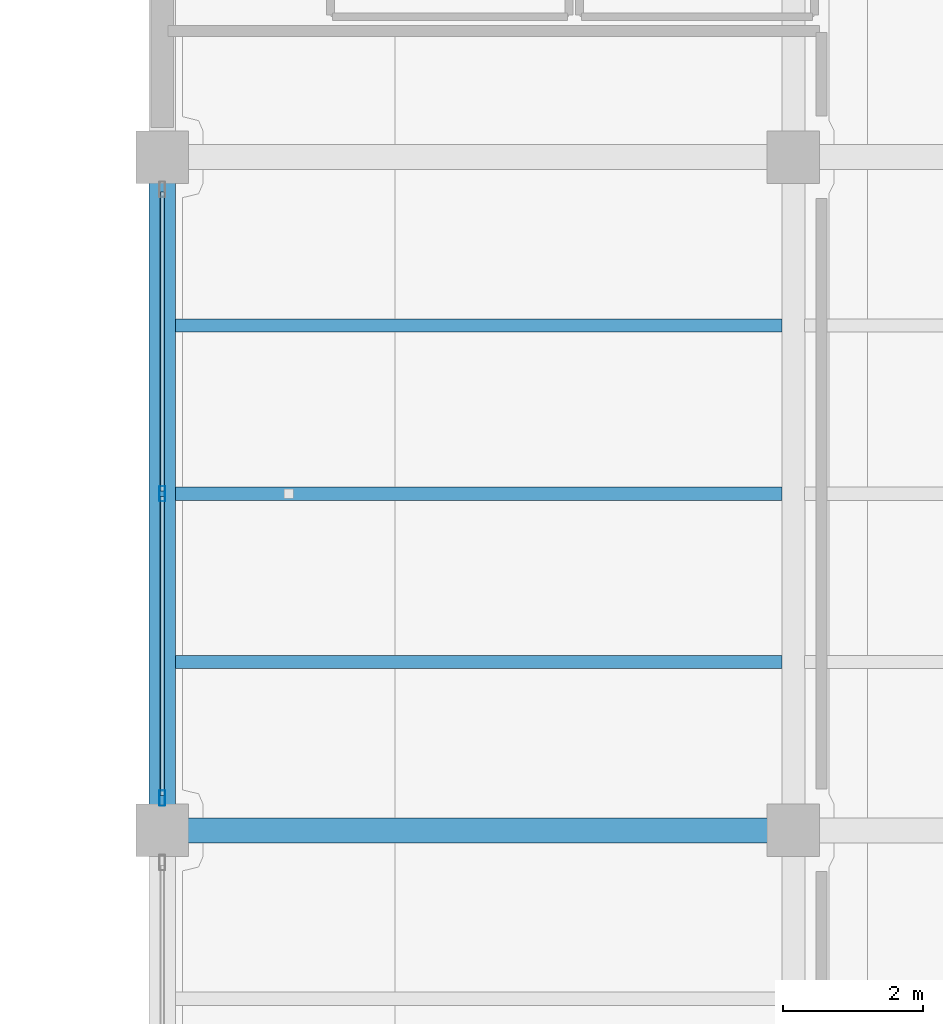
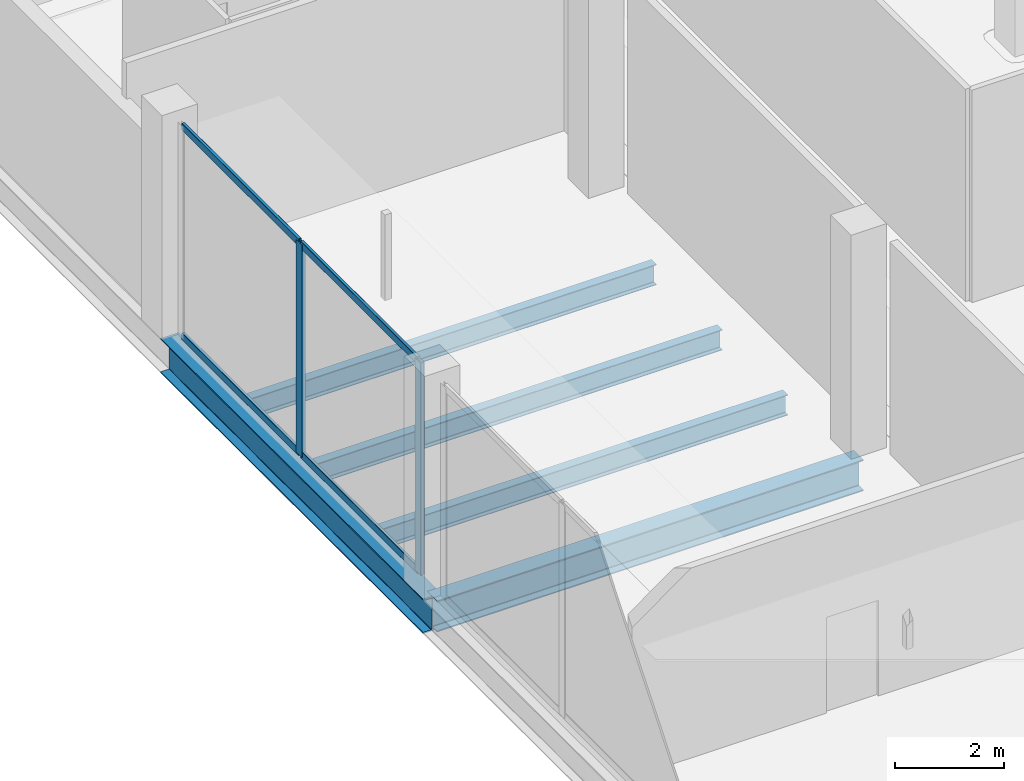
# One storey, part 11 of 47: 6 members, 5 beams, 1 element without a shape of its own.
"""IFC4 building model written with IfcOpenShell, lengths in metres."""

from ifc_helpers import new_model, si_unit, direction, frame, origin, origin_2d, place, context, subcontext, project, spatial, hollow_rectangle, i_section, extrude, material, layer, layer_set, material_profile, profile_set, type_object, element, aggregate, save


model = new_model("IFC4")

# Units and contexts
model_context = context("Model", 3, precision=1e-05, world=origin(), true_north=direction((0.0, 1.0)))
body_context = subcontext(model_context, "Body", "Model", "MODEL_VIEW")
ifc_project = project(units=[si_unit("LENGTHUNIT", "METRE"), si_unit("AREAUNIT", "SQUARE_METRE"), si_unit("VOLUMEUNIT", "CUBIC_METRE"), si_unit("PLANEANGLEUNIT", "RADIAN"), si_unit("MASSUNIT", "GRAM", prefix="KILO")], contexts=[model_context])

# Site, building, storey
site_placement = place(None, origin())
site = spatial("IfcSite", under=ifc_project, at=site_placement, CompositionType="ELEMENT")
building_placement = place(site_placement, origin())
building = spatial("IfcBuilding", under=site, at=building_placement, Name="Qorvath Tower", CompositionType="ELEMENT")
storey_placement = place(building_placement, frame((0.0, 0.0, 12.0)))
storey = spatial("IfcBuildingStorey", under=building, at=storey_placement, Name="L02", CompositionType="ELEMENT", Elevation=12.0)

# Beams
ifc_material_1 = material(Name="Steel ASTM A992 Grade 50", Category="steel")
ifc_material_profile_1 = material_profile(ifc_material_1, i_section(OverallWidth=0.381103515625, OverallDepth=0.77294921875, WebThickness=0.0166015625, FlangeThickness=0.027099609375, FilletRadius=0.01904296875, at=origin_2d()), Name="W30x173")
ifc_profile_set_1 = profile_set([ifc_material_profile_1], Name="Steel ASTM A992 Grade 50")
beam_type_1 = type_object("IfcBeamType", Name="BM-FG3", PredefinedType="BEAM", material=ifc_profile_set_1)
beam_1_placement = place(storey_placement, frame((32.39990234375, 9.60009765625, -0.646484375), z_axis=(0.0, 1.0, 0.0), x_axis=(-1.0, 0.0, 0.0)))
element("IfcBeam", 1, at=beam_1_placement, inside=storey, type_object=beam_type_1, Name="Library N-S Girder L02-1-6", PredefinedType="BEAM", context=body_context, shape_type="SweptSolid", body=[
    extrude(i_section(OverallWidth=0.381103515625, OverallDepth=0.77294921875, WebThickness=0.0166015625, FlangeThickness=0.027099609375, FilletRadius=0.01904296875, at=origin_2d()), origin(), (0.0, 0.0, 1.0), 9.599853515625),
])
ifc_material_2 = material(Name="Steel ASTM A992 Grade 50", Category="steel")
ifc_material_profile_2 = material_profile(ifc_material_2, i_section(OverallWidth=0.35595703125, OverallDepth=0.696044921875, WebThickness=0.015380859375, FlangeThickness=0.02490234375, FilletRadius=0.01806640625, at=origin_2d()), Name="W27x146")
ifc_profile_set_2 = profile_set([ifc_material_profile_2], Name="Steel ASTM A992 Grade 50")
beam_type_2 = type_object("IfcBeamType", Name="BM-FG4", PredefinedType="BEAM", material=ifc_profile_set_2)
beam_2_placement = place(storey_placement, frame((32.39990234375, 9.60009765625, -0.60791015625), z_axis=(1.0, 0.0, 0.0), x_axis=(0.0, 1.0, 0.0)))
element("IfcBeam", 2, at=beam_2_placement, inside=storey, type_object=beam_type_2, Name="Library E-W Girder L02-6-1", PredefinedType="BEAM", context=body_context, shape_type="SweptSolid", body=[
    extrude(i_section(OverallWidth=0.35595703125, OverallDepth=0.696044921875, WebThickness=0.015380859375, FlangeThickness=0.02490234375, FilletRadius=0.01806640625, at=origin_2d()), origin(), (0.0, 0.0, 1.0), 9.0),
])
ifc_material_3 = material(Name="Steel ASTM A992 Grade 50", Category="steel")
ifc_material_profile_3 = material_profile(ifc_material_3, i_section(OverallWidth=0.18994140625, OverallDepth=0.45703125, WebThickness=0.009033203125, FlangeThickness=0.014404296875, FilletRadius=0.011962890625, at=origin_2d()), Name="W18x50")
ifc_profile_set_3 = profile_set([ifc_material_profile_3], Name="Steel ASTM A992 Grade 50")
beam_type_3 = type_object("IfcBeamType", Name="BM-FJ2", PredefinedType="JOIST", material=ifc_profile_set_3)
for number, where, z_axis, x_axis, name in (
    (3, (32.58837890625, 12.0, -0.488525390625), (1.0, 0.0, 0.0), (0.0, 1.0, 0.0), "Library Stack Joist L02-6.1-1"),
    (4, (32.58837890625, 14.39990234375, -0.488525390625), (1.0, 0.0, 0.0), (0.0, 1.0, 0.0), "Library Stack Joist L02-6.2-1"),
    (5, (32.58837890625, 16.800048828125, -0.488525390625), (1.0, 0.0, 0.0), (0.0, 1.0, 0.0), "Library Stack Joist L02-6.3-1"),
):
    element("IfcBeam", number, at=place(storey_placement, frame(where, z_axis=z_axis, x_axis=x_axis)), inside=storey, type_object=beam_type_3, Name=name, PredefinedType="JOIST", context=body_context, shape_type="SweptSolid", body=[
        extrude(i_section(OverallWidth=0.18994140625, OverallDepth=0.45703125, WebThickness=0.009033203125, FlangeThickness=0.014404296875, FilletRadius=0.011962890625, at=origin_2d()), origin(), (0.0, 0.0, 1.0), 8.651123046875),
    ])

# Curtain wall, members
ifc_material_4 = material(Name="Anodised aluminium and triple low-E glass", Category="aluminium")
ifc_layer = layer(ifc_material_4, 0.179931640625)
ifc_layer_set = layer_set([ifc_layer], Name="CW-SYS-6")
curtain_wall_type = type_object("IfcCurtainWallType", Name="CW-SYS-6", PredefinedType="NOTDEFINED", material=ifc_layer_set)
curtain_wall_placement = place(storey_placement, origin())
curtain_wall = element("IfcCurtainWall", 6, at=curtain_wall_placement, inside=storey, type_object=curtain_wall_type, Name="Curtain Wall CW-6 CW-LIB-W-L02-6", PredefinedType="NOTDEFINED")
ifc_material_5 = material(Name="Anodised aluminium 6063-T6", Category="aluminium")
ifc_material_profile_4 = material_profile(ifc_material_5, hollow_rectangle(XDim=0.080078125, YDim=0.219970703125, WallThickness=0.00439453125, InnerFilletRadius=0.00439453125, OuterFilletRadius=0.009033203125, at=origin_2d()), Name="CWM LIB 220x80")
ifc_profile_set_4 = profile_set([ifc_material_profile_4], Name="Anodised aluminium 6063-T6")
member_type_1 = type_object("IfcMemberType", Name="CWM-LIB", PredefinedType="MULLION", material=ifc_profile_set_4)
member_1_placement = place(storey_placement, frame((32.39990234375, 10.06005859375, 0.0), z_axis=(0.0, 0.0, 1.0), x_axis=(-1.0, 0.0, 0.0)))
member_1 = element("IfcMember", 7, at=member_1_placement, type_object=member_type_1, Name="CW-6 mullion 1", PredefinedType="MULLION", context=body_context, shape_type="SweptSolid", body=[
    extrude(hollow_rectangle(XDim=0.080078125, YDim=0.219970703125, WallThickness=0.00439453125, InnerFilletRadius=0.00439453125, OuterFilletRadius=0.009033203125, at=origin_2d()), origin(), (0.0, 0.0, 1.0), 4.739990234375),
])
member_2_placement = place(storey_placement, frame((32.39990234375, 14.39990234375, 0.0), z_axis=(0.0, 0.0, 1.0), x_axis=(-1.0, 0.0, 0.0)))
member_2 = element("IfcMember", 8, at=member_2_placement, type_object=member_type_1, Name="CW-6 mullion 2", PredefinedType="MULLION", context=body_context, shape_type="SweptSolid", body=[
    extrude(hollow_rectangle(XDim=0.080078125, YDim=0.219970703125, WallThickness=0.00439453125, InnerFilletRadius=0.00439453125, OuterFilletRadius=0.009033203125, at=origin_2d()), origin(), (0.0, 0.0, 1.0), 4.739990234375),
])
ifc_material_6 = material(Name="Anodised aluminium 6063-T6", Category="aluminium")
ifc_material_profile_5 = material_profile(ifc_material_6, hollow_rectangle(XDim=0.06494140625, YDim=0.159912109375, WallThickness=0.00341796875, InnerFilletRadius=0.00341796875, OuterFilletRadius=0.007080078125, at=origin_2d()), Name="CWT 160x65")
ifc_profile_set_5 = profile_set([ifc_material_profile_5], Name="Anodised aluminium 6063-T6")
member_type_2 = type_object("IfcMemberType", Name="CWT-160", PredefinedType="USERDEFINED", material=ifc_profile_set_5)
member_3_placement = place(storey_placement, frame((32.39990234375, 10.10009765625, 0.032470703125), z_axis=(0.0, 1.0, 0.0), x_axis=(-1.0, 0.0, 0.0)))
member_3 = element("IfcMember", 9, at=member_3_placement, type_object=member_type_2, Name="CW-6 transom 1.1", ObjectType="TRANSOM", PredefinedType="USERDEFINED", context=body_context, shape_type="SweptSolid", body=[
    extrude(hollow_rectangle(XDim=0.06494140625, YDim=0.159912109375, WallThickness=0.00341796875, InnerFilletRadius=0.00341796875, OuterFilletRadius=0.007080078125, at=origin_2d()), origin(), (0.0, 0.0, 1.0), 4.260009765625),
])
member_4_placement = place(storey_placement, frame((32.39990234375, 10.10009765625, 4.70751953125), z_axis=(0.0, 1.0, 0.0), x_axis=(-1.0, 0.0, 0.0)))
member_4 = element("IfcMember", 10, at=member_4_placement, type_object=member_type_2, Name="CW-6 transom 1.2", ObjectType="TRANSOM", PredefinedType="USERDEFINED", context=body_context, shape_type="SweptSolid", body=[
    extrude(hollow_rectangle(XDim=0.06494140625, YDim=0.159912109375, WallThickness=0.00341796875, InnerFilletRadius=0.00341796875, OuterFilletRadius=0.007080078125, at=origin_2d()), origin(), (0.0, 0.0, 1.0), 4.260009765625),
])
member_5_placement = place(storey_placement, frame((32.39990234375, 14.43994140625, 0.032470703125), z_axis=(0.0, 1.0, 0.0), x_axis=(-1.0, 0.0, 0.0)))
member_5 = element("IfcMember", 11, at=member_5_placement, type_object=member_type_2, Name="CW-6 transom 2.1", ObjectType="TRANSOM", PredefinedType="USERDEFINED", context=body_context, shape_type="SweptSolid", body=[
    extrude(hollow_rectangle(XDim=0.06494140625, YDim=0.159912109375, WallThickness=0.00341796875, InnerFilletRadius=0.00341796875, OuterFilletRadius=0.007080078125, at=origin_2d()), origin(), (0.0, 0.0, 1.0), 4.260009765625),
])
member_6_placement = place(storey_placement, frame((32.39990234375, 14.43994140625, 4.70751953125), z_axis=(0.0, 1.0, 0.0), x_axis=(-1.0, 0.0, 0.0)))
member_6 = element("IfcMember", 12, at=member_6_placement, type_object=member_type_2, Name="CW-6 transom 2.2", ObjectType="TRANSOM", PredefinedType="USERDEFINED", context=body_context, shape_type="SweptSolid", body=[
    extrude(hollow_rectangle(XDim=0.06494140625, YDim=0.159912109375, WallThickness=0.00341796875, InnerFilletRadius=0.00341796875, OuterFilletRadius=0.007080078125, at=origin_2d()), origin(), (0.0, 0.0, 1.0), 4.260009765625),
])
aggregate(curtain_wall, [member_1, member_2, member_3, member_4, member_5, member_6])

save(model, "model.ifc")
